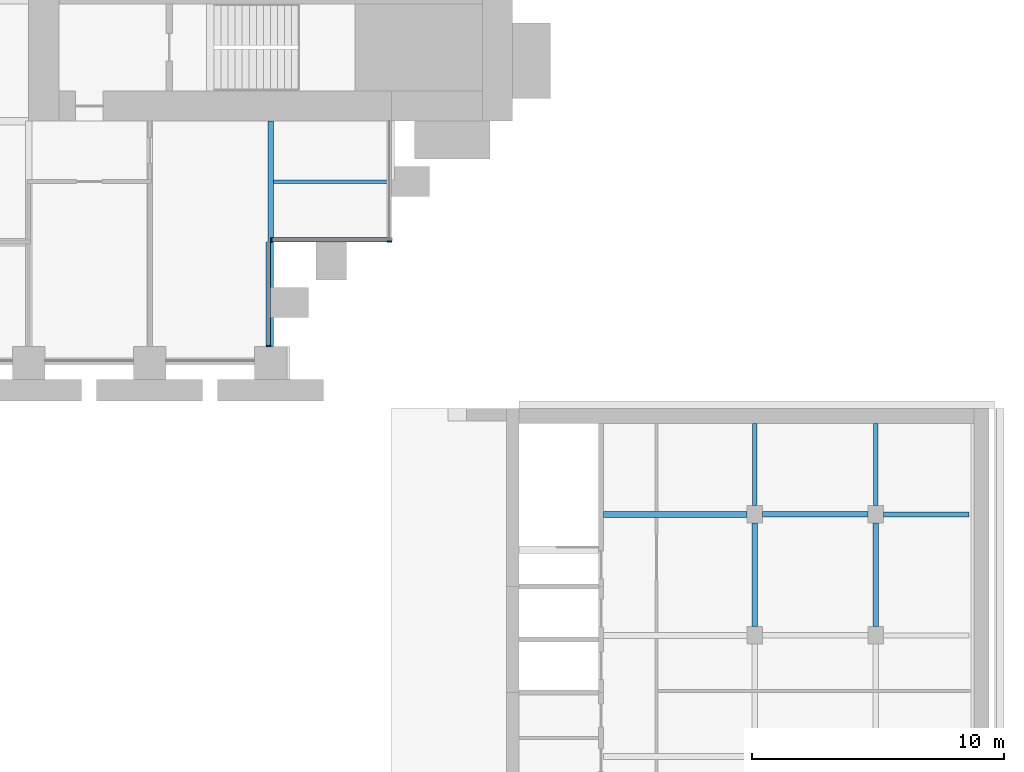
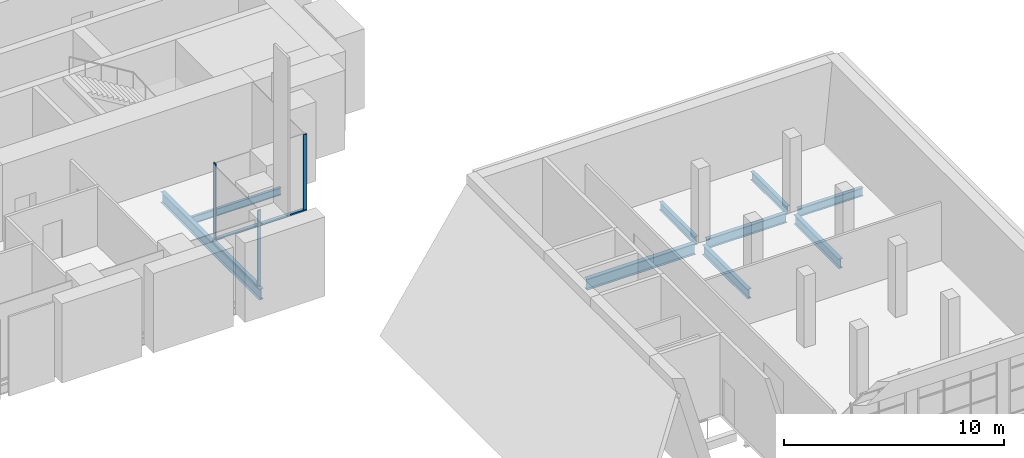
# One storey, part 10 of 22: 9 beams, 5 members, 3 elements without a shape of their own.
"""IFC4 building model written with IfcOpenShell, lengths in metres."""

from ifc_helpers import new_model, si_unit, direction, frame, origin, origin_2d, place, context, subcontext, project, spatial, rectangle, i_section, extrude, material, material_profile, profile_set, type_object, element, aggregate, save


model = new_model("IFC4")

# Units and contexts
model_context = context("Model", 3, precision=1e-05, world=origin(), true_north=direction((0.0, 1.0)))
body_context = subcontext(model_context, "Body", "Model", "MODEL_VIEW")
ifc_project = project(units=[si_unit("LENGTHUNIT", "METRE"), si_unit("AREAUNIT", "SQUARE_METRE"), si_unit("VOLUMEUNIT", "CUBIC_METRE"), si_unit("PLANEANGLEUNIT", "RADIAN"), si_unit("MASSUNIT", "GRAM", prefix="KILO")], contexts=[model_context])

# Site, building, storey
site_placement = place(None, origin())
site = spatial("IfcSite", under=ifc_project, at=site_placement, CompositionType="ELEMENT")
building_placement = place(site_placement, origin())
building = spatial("IfcBuilding", under=site, at=building_placement, Name="Baori Bourse Tower", CompositionType="ELEMENT")
storey_placement = place(building_placement, frame((0.0, 0.0, 25.800048828125)))
storey = spatial("IfcBuildingStorey", under=building, at=storey_placement, Name="L04", CompositionType="ELEMENT", Elevation=25.800048828125)

# Curtain wall, member
ifc_material_1 = material(Name="Pale anodised aluminium", Category="aluminium")
curtain_wall_type = type_object("IfcCurtainWallType", Name="CW2 Curtain wall", PredefinedType="NOTDEFINED", material=ifc_material_1)
curtain_wall_1_placement = place(storey_placement, origin())
curtain_wall_1 = element("IfcCurtainWall", 1, at=curtain_wall_1_placement, inside=storey, type_object=curtain_wall_type, Name="Curtain wall CW2 L04 12", PredefinedType="NOTDEFINED")
ifc_material_2 = material(Name="Pale anodised aluminium", Category="aluminium")
ifc_material_profile_1 = material_profile(ifc_material_2, rectangle(XDim=0.179931640625, YDim=0.054931640625, at=origin_2d()), Name="Mullion 55x180")
ifc_profile_set_1 = profile_set([ifc_material_profile_1], Name="Pale anodised aluminium")
member_type_1 = type_object("IfcMemberType", Name="CW2 Curtain wall mullion", PredefinedType="MULLION", material=ifc_profile_set_1)
member_1_placement = place(storey_placement, frame((47.909912109375, 0.677490234375, 0.070068359375), z_axis=(0.0, 0.0, 1.0), x_axis=(-1.0, 0.0, 0.0)))
member_1 = element("IfcMember", 2, at=member_1_placement, type_object=member_type_1, Name="Curtain wall CW2 mullion", PredefinedType="MULLION", context=body_context, shape_type="SweptSolid", body=[
    extrude(rectangle(XDim=0.179931640625, YDim=0.054931640625, at=origin_2d()), origin(), (0.0, 0.0, 1.0), 4.169921875),
])

curtain_wall_2_placement = place(storey_placement, origin())
curtain_wall_2 = element("IfcCurtainWall", 3, at=curtain_wall_2_placement, inside=storey, type_object=curtain_wall_type, Name="Curtain wall CW2 L04 13", PredefinedType="NOTDEFINED")
member_2_placement = place(storey_placement, frame((48.027587890625, 4.889892578125, 0.070068359375), z_axis=(0.0, 0.0, 1.0), x_axis=(0.0, 1.0, 0.0)))
member_2 = element("IfcMember", 4, at=member_2_placement, type_object=member_type_1, Name="Curtain wall CW2 mullion", PredefinedType="MULLION", context=body_context, shape_type="SweptSolid", body=[
    extrude(rectangle(XDim=0.179931640625, YDim=0.054931640625, at=origin_2d()), origin(), (0.0, 0.0, 1.0), 4.169921875),
])

curtain_wall_3_placement = place(storey_placement, origin())
curtain_wall_3 = element("IfcCurtainWall", 5, at=curtain_wall_3_placement, inside=storey, type_object=curtain_wall_type, Name="Curtain wall CW2 L04 14", PredefinedType="NOTDEFINED")
member_3_placement = place(storey_placement, frame((52.7099609375, 4.827392578125, 0.070068359375), z_axis=(0.0, 0.0, 1.0), x_axis=(-1.0, 0.0, 0.0)))
member_3 = element("IfcMember", 6, at=member_3_placement, type_object=member_type_1, Name="Curtain wall CW2 mullion", PredefinedType="MULLION", context=body_context, shape_type="SweptSolid", body=[
    extrude(rectangle(XDim=0.179931640625, YDim=0.054931640625, at=origin_2d()), origin(), (0.0, 0.0, 1.0), 4.169921875),
])
aggregate(curtain_wall_3, [member_3])

# Member
ifc_material_3 = material(Name="Pale anodised aluminium", Category="aluminium")
ifc_material_profile_2 = material_profile(ifc_material_3, rectangle(XDim=0.179931640625, YDim=0.070068359375, at=origin_2d()), Name="Transom 70x180")
ifc_profile_set_2 = profile_set([ifc_material_profile_2], Name="Pale anodised aluminium")
member_type_2 = type_object("IfcMemberType", Name="CW2 Curtain wall transom", PredefinedType="USERDEFINED", material=ifc_profile_set_2)
member_4_placement = place(storey_placement, frame((47.909912109375, 0.64990234375, 0.034912109375), z_axis=(0.0, 1.0, 0.0), x_axis=(-1.0, 0.0, 0.0)))
member_4 = element("IfcMember", 7, at=member_4_placement, type_object=member_type_2, Name="Curtain wall CW2 sill rail", ObjectType="TRANSOM", PredefinedType="USERDEFINED", context=body_context, shape_type="SweptSolid", body=[
    extrude(rectangle(XDim=0.179931640625, YDim=0.070068359375, at=origin_2d()), origin(), (0.0, 0.0, 1.0), 4.150146484375),
])

aggregate(curtain_wall_1, [member_4, member_1])

member_5_placement = place(storey_placement, frame((48.0, 4.889892578125, 0.034912109375), z_axis=(1.0, 0.0, 0.0), x_axis=(0.0, 1.0, 0.0)))
member_5 = element("IfcMember", 8, at=member_5_placement, type_object=member_type_2, Name="Curtain wall CW2 sill rail", ObjectType="TRANSOM", PredefinedType="USERDEFINED", context=body_context, shape_type="SweptSolid", body=[
    extrude(rectangle(XDim=0.179931640625, YDim=0.070068359375, at=origin_2d()), origin(), (0.0, 0.0, 1.0), 4.800048828125),
])

aggregate(curtain_wall_2, [member_5, member_2])

# Beams
ifc_material_4 = material(Name="Steel A992 Gr 50", Category="steel")
ifc_material_profile_3 = material_profile(ifc_material_4, i_section(OverallWidth=0.227783203125, OverallDepth=0.60205078125, WebThickness=0.010498046875, FlangeThickness=0.014892578125, at=origin_2d()), Name="W24x68")
ifc_profile_set_3 = profile_set([ifc_material_profile_3], Name="Steel A992 Gr 50")
beam_type_1 = type_object("IfcBeamType", Name="Floor beam W24x68", PredefinedType="BEAM", material=ifc_profile_set_3)
beam_1_placement = place(storey_placement, frame((48.0, 0.64990234375, -0.4609375), z_axis=(0.0, 1.0, 0.0), x_axis=(-1.0, 0.0, 0.0)))
element("IfcBeam", 9, at=beam_1_placement, inside=storey, type_object=beam_type_1, Name="Floor beam L04", PredefinedType="BEAM", context=body_context, shape_type="SweptSolid", body=[
    extrude(i_section(OverallWidth=0.227783203125, OverallDepth=0.60205078125, WebThickness=0.010498046875, FlangeThickness=0.014892578125, at=origin_2d()), origin(), (0.0, 0.0, 1.0), 8.9501953125),
])
ifc_material_5 = material(Name="Steel A992 Gr 50", Category="steel")
ifc_material_profile_4 = material_profile(ifc_material_5, i_section(OverallWidth=0.140380859375, OverallDepth=0.40380859375, WebThickness=0.007080078125, FlangeThickness=0.01123046875, at=origin_2d()), Name="W16x31")
ifc_profile_set_4 = profile_set([ifc_material_profile_4], Name="Steel A992 Gr 50")
beam_type_2 = type_object("IfcBeamType", Name="Trimmer beam W16x31", PredefinedType="BEAM", material=ifc_profile_set_4)
beam_2_placement = place(storey_placement, frame((48.114013671875, 7.199951171875, -0.362060546875), z_axis=(1.0, 0.0, 0.0), x_axis=(0.0, 1.0, 0.0)))
element("IfcBeam", 10, at=beam_2_placement, inside=storey, type_object=beam_type_2, Name="Trimmer beam L04", PredefinedType="BEAM", context=body_context, shape_type="SweptSolid", body=[
    extrude(i_section(OverallWidth=0.140380859375, OverallDepth=0.40380859375, WebThickness=0.007080078125, FlangeThickness=0.01123046875, at=origin_2d()), origin(), (0.0, 0.0, 1.0), 4.68603515625),
])
ifc_material_6 = material(Name="Steel A992 Gr 50", Category="steel")
ifc_material_profile_5 = material_profile(ifc_material_6, i_section(OverallWidth=0.1904296875, OverallDepth=0.457275390625, WebThickness=0.009033203125, FlangeThickness=0.014404296875, at=origin_2d()), Name="W18x50")
ifc_profile_set_5 = profile_set([ifc_material_profile_5], Name="Steel A992 Gr 50")
beam_type_3 = type_object("IfcBeamType", Name="Wing beam W18x50", PredefinedType="BEAM", material=ifc_profile_set_5)
beam_3_placement = place(storey_placement, frame((75.700439453125, -6.0, -0.388671875), z_axis=(-1.0, 0.0, 0.0), x_axis=(0.0, -1.0, 0.0)))
element("IfcBeam", 11, at=beam_3_placement, inside=storey, type_object=beam_type_3, Name="wing/L04/Ebeam/013", PredefinedType="BEAM", context=body_context, shape_type="SweptSolid", body=[
    extrude(i_section(OverallWidth=0.1904296875, OverallDepth=0.457275390625, WebThickness=0.009033203125, FlangeThickness=0.014404296875, at=origin_2d()), origin(), (0.0, 0.0, 1.0), 3.400390625),
])
for number, where, z_axis, x_axis, name in (
    (12, (72.0, -5.64990234375, -0.388671875), (0.0, 1.0, 0.0), (-1.0, 0.0, 0.0), "wing/L04/Ebeamy/005"),
    (13, (67.199951171875, -5.64990234375, -0.388671875), (0.0, 1.0, 0.0), (-1.0, 0.0, 0.0), "wing/L04/Ebeamy/010"),
):
    element("IfcBeam", number, at=place(storey_placement, frame(where, z_axis=z_axis, x_axis=x_axis)), inside=storey, type_object=beam_type_3, Name=name, PredefinedType="BEAM", context=body_context, shape_type="SweptSolid", body=[
        extrude(i_section(OverallWidth=0.1904296875, OverallDepth=0.457275390625, WebThickness=0.009033203125, FlangeThickness=0.014404296875, at=origin_2d()), origin(), (0.0, 0.0, 1.0), 3.25),
    ])
ifc_material_7 = material(Name="Steel A992 Gr 50", Category="steel")
ifc_material_profile_6 = material_profile(ifc_material_7, i_section(OverallWidth=0.209228515625, OverallDepth=0.533447265625, WebThickness=0.01025390625, FlangeThickness=0.015625, at=origin_2d()), Name="W21x62")
ifc_profile_set_6 = profile_set([ifc_material_profile_6], Name="Steel A992 Gr 50")
beam_type_4 = type_object("IfcBeamType", Name="Wing beam W21x62", PredefinedType="BEAM", material=ifc_profile_set_6)
beam_4_placement = place(storey_placement, frame((71.699951171875, -6.0, -0.4267578125), z_axis=(-1.0, 0.0, 0.0), x_axis=(0.0, -1.0, 0.0)))
element("IfcBeam", 14, at=beam_4_placement, inside=storey, type_object=beam_type_4, Name="wing/L04/Ebeam/014", PredefinedType="BEAM", context=body_context, shape_type="SweptSolid", body=[
    extrude(i_section(OverallWidth=0.209228515625, OverallDepth=0.533447265625, WebThickness=0.01025390625, FlangeThickness=0.015625, at=origin_2d()), origin(), (0.0, 0.0, 1.0), 4.199951171875),
])
for number, where, z_axis, x_axis, name in (
    (15, (72.0, -10.449951171875, -0.4267578125), (0.0, 1.0, 0.0), (-1.0, 0.0, 0.0), "wing/L04/Ebeamy/004"),
    (16, (67.199951171875, -10.449951171875, -0.4267578125), (0.0, 1.0, 0.0), (-1.0, 0.0, 0.0), "wing/L04/Ebeamy/009"),
):
    element("IfcBeam", number, at=place(storey_placement, frame(where, z_axis=z_axis, x_axis=x_axis)), inside=storey, type_object=beam_type_4, Name=name, PredefinedType="BEAM", context=body_context, shape_type="SweptSolid", body=[
        extrude(i_section(OverallWidth=0.209228515625, OverallDepth=0.533447265625, WebThickness=0.01025390625, FlangeThickness=0.015625, at=origin_2d()), origin(), (0.0, 0.0, 1.0), 4.099853515625),
    ])
ifc_material_8 = material(Name="Steel A992 Gr 50", Category="steel")
ifc_material_profile_7 = material_profile(ifc_material_8, i_section(OverallWidth=0.22900390625, OverallDepth=0.612060546875, WebThickness=0.011962890625, FlangeThickness=0.01953125, at=origin_2d()), Name="W24x84")
ifc_profile_set_7 = profile_set([ifc_material_profile_7], Name="Steel A992 Gr 50")
beam_type_5 = type_object("IfcBeamType", Name="Wing beam W24x84", PredefinedType="BEAM", material=ifc_profile_set_7)
beam_5_placement = place(storey_placement, frame((66.89990234375, -6.0, -0.466064453125), z_axis=(-1.0, 0.0, 0.0), x_axis=(0.0, -1.0, 0.0)))
element("IfcBeam", 17, at=beam_5_placement, inside=storey, type_object=beam_type_5, Name="wing/L04/Ebeam/015", PredefinedType="BEAM", context=body_context, shape_type="SweptSolid", body=[
    extrude(i_section(OverallWidth=0.22900390625, OverallDepth=0.612060546875, WebThickness=0.011962890625, FlangeThickness=0.01953125, at=origin_2d()), origin(), (0.0, 0.0, 1.0), 5.699951171875),
])

save(model, "model.ifc")
